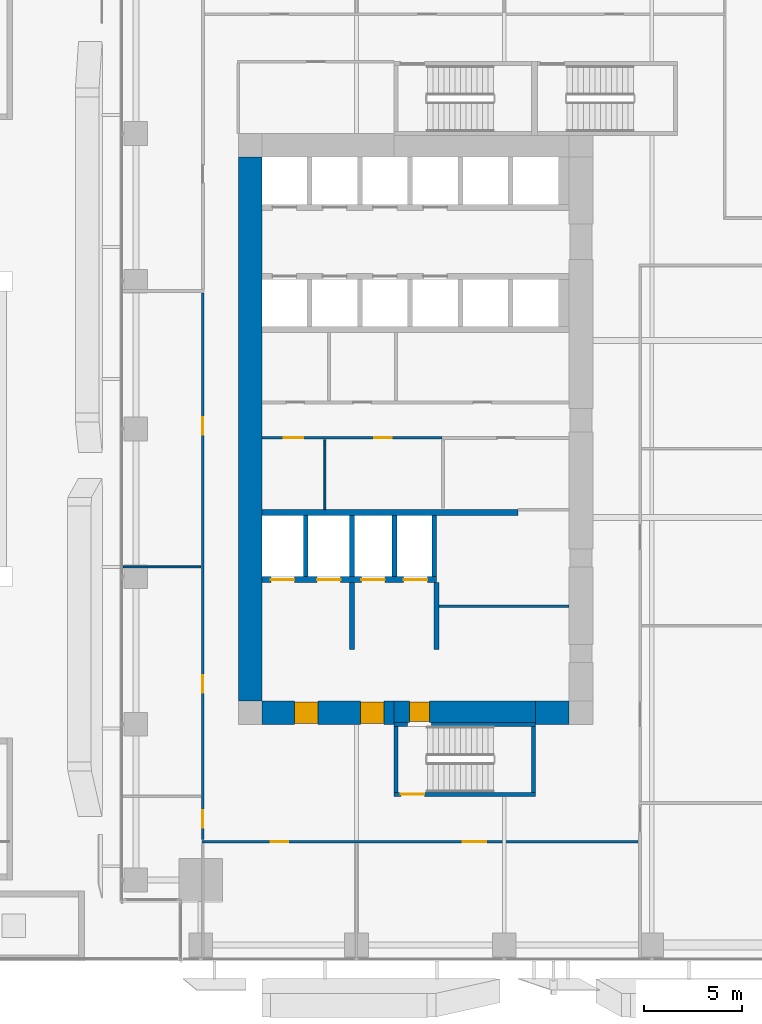
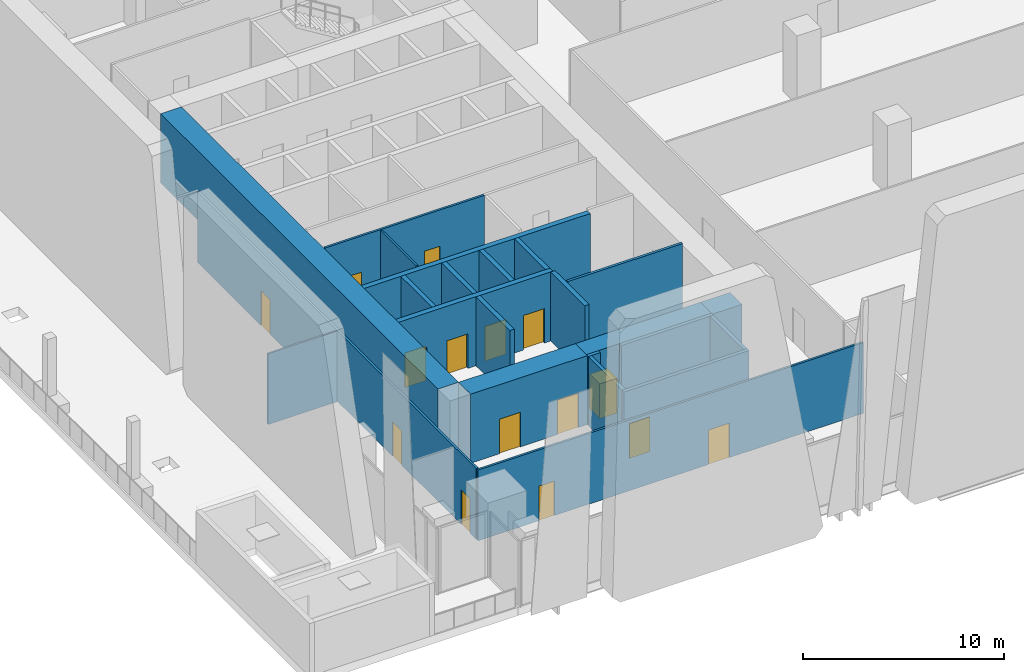
# One storey, part 35 of 46: 23 walls, 15 doors, 15 openings.
"""IFC4 building model written with IfcOpenShell, lengths in metres."""

from ifc_helpers import new_model, si_unit, direction, frame, frame_2d, origin, place, context, subcontext, project, spatial, rectangle, extrude, source, transform, mapped, material, layer, layer_set, type_object, element, fill, save


model = new_model("IFC4")

# Units and contexts
model_context = context("Model", 3, precision=1e-05, world=origin(), true_north=direction((0.0, 1.0)))
body_context = subcontext(model_context, "Body", "Model", "MODEL_VIEW")
ifc_project = project(units=[si_unit("LENGTHUNIT", "METRE"), si_unit("AREAUNIT", "SQUARE_METRE"), si_unit("VOLUMEUNIT", "CUBIC_METRE"), si_unit("PLANEANGLEUNIT", "RADIAN"), si_unit("MASSUNIT", "GRAM", prefix="KILO")], contexts=[model_context])

# Site, building, storey
site_placement = place(None, origin())
site = spatial("IfcSite", under=ifc_project, at=site_placement, CompositionType="ELEMENT")
building_placement = place(site_placement, origin())
building = spatial("IfcBuilding", under=site, at=building_placement, Name="Khomas Fold Tower", CompositionType="ELEMENT")
storey_placement = place(building_placement, frame((0.0, 0.0, 33.0)))
storey = spatial("IfcBuildingStorey", under=building, at=storey_placement, Name="L06", CompositionType="ELEMENT", Elevation=33.0)

# Wall, openings, doors
ifc_material_1 = material(Name="Concrete C70/85", Category="concrete")
ifc_layer_1 = layer(ifc_material_1, 1.199951171875)
ifc_layer_set_1 = layer_set([ifc_layer_1], Name="Concrete C70/85")
wall_type_1 = type_object("IfcWallType", Name="Core wall 1200", PredefinedType="SHEAR", material=ifc_layer_set_1)
shared_shape_1 = source(origin(), body_context, "Body", "SweptSolid", [
    extrude(rectangle(XDim=6.699951171875, YDim=1.199951171875, at=frame_2d((3.35009765625, 0.0))), origin(), (0.0, 0.0, 1.0), 4.199951171875),
])
wall_1_placement = place(storey_placement, frame((7.199951171875, 12.60009765625, 0.0), z_axis=(0.0, 0.0, 1.0), x_axis=(1.0, 0.0, 0.0)))
wall_1 = element("IfcWall", 1, at=wall_1_placement, inside=storey, type_object=wall_type_1, Name="Core wall CW-L-S-B2", PredefinedType="SHEAR", context=body_context, shape_type="MappedRepresentation", body=[
    mapped(shared_shape_1, transform((0.0, 0.0, 0.0))),
])
shared_shape_2 = source(origin(), body_context, "Body", "SweptSolid", [
    extrude(rectangle(XDim=1.199951171875, YDim=2.10009765625, at=frame_2d((0.60009765625, 1.050048828125))), frame((0.0, 0.60986328125, 0.0), z_axis=(0.0, -1.0, 0.0), x_axis=(1.0, 0.0, 0.0)), (0.0, 0.0, 1.0), 1.219970703125),
])
opening_1_placement = place(wall_1_placement, frame((5.0, 0.0, 0.0)))
opening_1 = element("IfcOpeningElement", 2, at=opening_1_placement, cuts=wall_1, Name="Opening 0009", PredefinedType="OPENING", context=body_context, shape_type="MappedRepresentation", body=[
    mapped(shared_shape_2, transform((0.0, 0.0, 0.0))),
])
opening_2_placement = place(wall_1_placement, frame((1.64990234375, 0.0, 0.0)))
opening_2 = element("IfcOpeningElement", 3, at=opening_2_placement, cuts=wall_1, Name="Opening 0009", PredefinedType="OPENING", context=body_context, shape_type="MappedRepresentation", body=[
    mapped(shared_shape_2, transform((0.0, 0.0, 0.0))),
])
ifc_material_2 = material(Name="Steel door leaf", Category="steel")
door_type_1 = type_object("IfcDoorType", Name="Lobby door 1200x2100 right-hand", OperationType="SINGLE_SWING_RIGHT", PredefinedType="DOOR", material=ifc_material_2)
shared_shape_3 = source(origin(), body_context, "Body", "SweptSolid", [
    extrude(rectangle(XDim=1.199951171875, YDim=2.10009765625, at=frame_2d((0.60009765625, 1.050048828125))), frame((0.0, 0.5498046875, 0.0), z_axis=(0.0, -1.0, 0.0), x_axis=(1.0, 0.0, 0.0)), (0.0, 0.0, 1.0), 1.099853515625),
])
door_1_placement = place(opening_1_placement, origin())
door_1 = element("IfcDoor", 4, at=door_1_placement, inside=storey, type_object=door_type_1, Name="Lobby door", OperationType="SINGLE_SWING_RIGHT", OverallHeight=2.10009765625, OverallWidth=1.199951171875, PredefinedType="DOOR", context=body_context, shape_type="MappedRepresentation", body=[
    mapped(shared_shape_3, transform((0.0, 0.0, 0.0))),
])
fill(opening_1, door_1)
door_2_placement = place(opening_2_placement, origin())
door_2 = element("IfcDoor", 5, at=door_2_placement, inside=storey, type_object=door_type_1, Name="Lobby door", OperationType="SINGLE_SWING_RIGHT", OverallHeight=2.10009765625, OverallWidth=1.199951171875, PredefinedType="DOOR", context=body_context, shape_type="MappedRepresentation", body=[
    mapped(shared_shape_3, transform((0.0, 0.0, 0.0))),
])
fill(opening_2, door_2)

# Wall, opening, door
ifc_material_3 = material(Name="Concrete C70/85", Category="concrete")
ifc_layer_2 = layer(ifc_material_3, 1.10009765625)
ifc_layer_set_2 = layer_set([ifc_layer_2], Name="Concrete C70/85")
wall_type_2 = type_object("IfcWallType", Name="Core wall 1100", PredefinedType="SHEAR", material=ifc_layer_set_2)
shared_shape_4 = source(origin(), body_context, "Body", "SweptSolid", [
    extrude(rectangle(XDim=7.2001953125, YDim=1.10009765625, at=frame_2d((3.60009765625, 0.0))), origin(), (0.0, 0.0, 1.0), 4.199951171875),
])
wall_2_placement = place(storey_placement, frame((13.89990234375, 12.64990234375, 0.0), z_axis=(0.0, 0.0, 1.0), x_axis=(1.0, 0.0, 0.0)))
wall_2 = element("IfcWall", 6, at=wall_2_placement, inside=storey, type_object=wall_type_2, Name="Core wall CW-L-S-B2-1", PredefinedType="SHEAR", context=body_context, shape_type="MappedRepresentation", body=[
    mapped(shared_shape_4, transform((0.0, 0.0, 0.0))),
])
shared_shape_5 = source(origin(), body_context, "Body", "SweptSolid", [
    extrude(rectangle(XDim=1.0, YDim=2.10009765625, at=frame_2d((0.5, 1.050048828125))), frame((0.0, 0.56005859375, 0.0), z_axis=(0.0, -1.0, 0.0), x_axis=(1.0, 0.0, 0.0)), (0.0, 0.0, 1.0), 1.1201171875),
])
opening_3_placement = place(wall_2_placement, frame((0.800048828125, 0.0, 0.0)))
opening_3 = element("IfcOpeningElement", 7, at=opening_3_placement, cuts=wall_2, Name="Opening 0010", PredefinedType="OPENING", context=body_context, shape_type="MappedRepresentation", body=[
    mapped(shared_shape_5, transform((0.0, 0.0, 0.0))),
])
ifc_material_4 = material(Name="Steel door leaf", Category="steel")
door_type_2 = type_object("IfcDoorType", Name="Stair door 1000x2100 right-hand", OperationType="SINGLE_SWING_RIGHT", PredefinedType="DOOR", material=ifc_material_4)
shared_shape_6 = source(origin(), body_context, "Body", "SweptSolid", [
    extrude(rectangle(XDim=1.0, YDim=2.10009765625, at=frame_2d((0.5, 1.050048828125))), frame((0.0, 0.5, 0.0), z_axis=(0.0, -1.0, 0.0), x_axis=(1.0, 0.0, 0.0)), (0.0, 0.0, 1.0), 1.0),
])
door_3_placement = place(opening_3_placement, origin())
door_3 = element("IfcDoor", 8, at=door_3_placement, inside=storey, type_object=door_type_2, Name="Stair door", OperationType="SINGLE_SWING_RIGHT", OverallHeight=2.10009765625, OverallWidth=1.0, PredefinedType="DOOR", context=body_context, shape_type="MappedRepresentation", body=[
    mapped(shared_shape_6, transform((0.0, 0.0, 0.0))),
])
fill(opening_3, door_3)

# Walls
shared_shape_7 = source(origin(), body_context, "Body", "SweptSolid", [
    extrude(rectangle(XDim=1.699951171875, YDim=1.199951171875, at=frame_2d((0.85009765625, 0.0))), origin(), (0.0, 0.0, 1.0), 4.199951171875),
])
wall_3_placement = place(storey_placement, frame((21.10009765625, 12.60009765625, 0.0), z_axis=(0.0, 0.0, 1.0), x_axis=(1.0, 0.0, 0.0)))
element("IfcWall", 9, at=wall_3_placement, inside=storey, type_object=wall_type_1, Name="Core wall CW-L-S-B2-2", PredefinedType="SHEAR", context=body_context, shape_type="MappedRepresentation", body=[
    mapped(shared_shape_7, transform((0.0, 0.0, 0.0))),
])
shared_shape_8 = source(origin(), body_context, "Body", "SweptSolid", [
    extrude(rectangle(XDim=27.60009765625, YDim=1.199951171875, at=frame_2d((13.800048828125, 0.0))), origin(), (0.0, 0.0, 1.0), 4.199951171875),
])
wall_4_placement = place(storey_placement, frame((6.60009765625, 13.199951171875, 0.0), z_axis=(0.0, 0.0, 1.0), x_axis=(0.0, 1.0, 0.0)))
element("IfcWall", 10, at=wall_4_placement, inside=storey, type_object=wall_type_1, Name="Core wall CW-L-W-B2", PredefinedType="SHEAR", context=body_context, shape_type="MappedRepresentation", body=[
    mapped(shared_shape_8, transform((0.0, 0.0, 0.0))),
])
ifc_material_5 = material(Name="Concrete C50/60", Category="concrete")
ifc_layer_3 = layer(ifc_material_5, 0.199951171875)
ifc_layer_set_3 = layer_set([ifc_layer_3], Name="Concrete C50/60")
wall_type_3 = type_object("IfcWallType", Name="Stair wall 200", PredefinedType="SHEAR", material=ifc_layer_set_3)
shared_shape_9 = source(origin(), body_context, "Body", "SweptSolid", [
    extrude(rectangle(XDim=0.7001953125, YDim=0.199951171875, at=frame_2d((0.35009765625, 0.0))), origin(), (0.0, 0.0, 1.0), 4.199951171875),
])
wall_5_placement = place(storey_placement, frame((13.89990234375, 12.0, 0.0), z_axis=(0.0, 0.0, 1.0), x_axis=(1.0, 0.0, 0.0)))
element("IfcWall", 11, at=wall_5_placement, inside=storey, type_object=wall_type_3, Name="Stair wall SW-ST2-N", PredefinedType="SHEAR", context=body_context, shape_type="MappedRepresentation", body=[
    mapped(shared_shape_9, transform((0.0, 0.0, 0.0))),
])
shared_shape_10 = source(origin(), body_context, "Body", "SweptSolid", [
    extrude(rectangle(XDim=5.300048828125, YDim=0.199951171875, at=frame_2d((2.64990234375, 0.0))), origin(), (0.0, 0.0, 1.0), 4.199951171875),
])
wall_6_placement = place(storey_placement, frame((15.800048828125, 12.0, 0.0), z_axis=(0.0, 0.0, 1.0), x_axis=(1.0, 0.0, 0.0)))
element("IfcWall", 12, at=wall_6_placement, inside=storey, type_object=wall_type_3, Name="Stair wall SW-ST2-NB", PredefinedType="SHEAR", context=body_context, shape_type="MappedRepresentation", body=[
    mapped(shared_shape_10, transform((0.0, 0.0, 0.0))),
])

# Wall, opening, door
shared_shape_11 = source(origin(), body_context, "Body", "SweptSolid", [
    extrude(rectangle(XDim=7.2001953125, YDim=0.199951171875, at=frame_2d((3.60009765625, 0.0))), origin(), (0.0, 0.0, 1.0), 4.199951171875),
])
wall_7_placement = place(storey_placement, frame((13.89990234375, 8.449951171875, 0.0), z_axis=(0.0, 0.0, 1.0), x_axis=(1.0, 0.0, 0.0)))
wall_7 = element("IfcWall", 13, at=wall_7_placement, inside=storey, type_object=wall_type_3, Name="Stair wall SW-ST2-S", PredefinedType="SHEAR", context=body_context, shape_type="MappedRepresentation", body=[
    mapped(shared_shape_11, transform((0.0, 0.0, 0.0))),
])
shared_shape_12 = source(origin(), body_context, "Body", "SweptSolid", [
    extrude(rectangle(XDim=1.199951171875, YDim=2.10009765625, at=frame_2d((0.60009765625, 1.050048828125))), frame((0.0, 0.10986328125, 0.0), z_axis=(0.0, -1.0, 0.0), x_axis=(1.0, 0.0, 0.0)), (0.0, 0.0, 1.0), 0.219970703125),
])
opening_4_placement = place(wall_7_placement, frame((0.35009765625, 0.0, 0.0)))
opening_4 = element("IfcOpeningElement", 14, at=opening_4_placement, cuts=wall_7, Name="Opening SD-ST2", PredefinedType="OPENING", context=body_context, shape_type="MappedRepresentation", body=[
    mapped(shared_shape_12, transform((0.0, 0.0, 0.0))),
])
ifc_material_6 = material(Name="Steel door leaf", Category="steel")
door_type_3 = type_object("IfcDoorType", Name="Stair door 1200x2100 right-hand", OperationType="SINGLE_SWING_RIGHT", PredefinedType="DOOR", material=ifc_material_6)
shared_shape_13 = source(origin(), body_context, "Body", "SweptSolid", [
    extrude(rectangle(XDim=1.199951171875, YDim=2.10009765625, at=frame_2d((0.60009765625, 1.050048828125))), frame((0.0, 0.02490234375, 0.0), z_axis=(0.0, -1.0, 0.0), x_axis=(1.0, 0.0, 0.0)), (0.0, 0.0, 1.0), 0.050048828125),
])
door_4_placement = place(opening_4_placement, origin())
door_4 = element("IfcDoor", 15, at=door_4_placement, inside=storey, type_object=door_type_3, Name="Stair door", OperationType="SINGLE_SWING_RIGHT", OverallHeight=2.10009765625, OverallWidth=1.199951171875, PredefinedType="DOOR", context=body_context, shape_type="MappedRepresentation", body=[
    mapped(shared_shape_13, transform((0.0, 0.0, 0.0))),
])
fill(opening_4, door_4)

# Walls
shared_shape_14 = source(origin(), body_context, "Body", "SweptSolid", [
    extrude(rectangle(XDim=3.349853515625, YDim=0.199951171875, at=frame_2d((1.6748046875, 0.0))), origin(), (0.0, 0.0, 1.0), 4.199951171875),
])
for number, where, z_axis, x_axis, name in (
    (16, (21.0, 8.550048828125, 0.0), (0.0, 0.0, 1.0), (0.0, 1.0, 0.0), "Stair wall SW-ST2-E"),
    (17, (14.0, 8.550048828125, 0.0), (0.0, 0.0, 1.0), (0.0, 1.0, 0.0), "Stair wall SW-ST2-W"),
):
    element("IfcWall", number, at=place(storey_placement, frame(where, z_axis=z_axis, x_axis=x_axis)), inside=storey, type_object=wall_type_3, Name=name, PredefinedType="SHEAR", context=body_context, shape_type="MappedRepresentation", body=[
        mapped(shared_shape_14, transform((0.0, 0.0, 0.0))),
    ])
ifc_material_7 = material(Name="Concrete C50/60", Category="concrete")
ifc_layer_4 = layer(ifc_material_7, 0.300048828125)
ifc_layer_set_4 = layer_set([ifc_layer_4], Name="Concrete C50/60")
wall_type_4 = type_object("IfcWallType", Name="Shaft wall 300", PredefinedType="STANDARD", material=ifc_layer_set_4)
shared_shape_15 = source(origin(), body_context, "Body", "SweptSolid", [
    extrude(rectangle(XDim=13.0, YDim=0.300048828125, at=frame_2d((6.5, 0.0))), origin(), (0.0, 0.0, 1.0), 4.199951171875),
])
wall_8_placement = place(storey_placement, frame((7.199951171875, 22.75, 0.0), z_axis=(0.0, 0.0, 1.0), x_axis=(1.0, 0.0, 0.0)))
element("IfcWall", 18, at=wall_8_placement, inside=storey, type_object=wall_type_4, Name="Core wall SW-FS-B", PredefinedType="STANDARD", context=body_context, shape_type="MappedRepresentation", body=[
    mapped(shared_shape_15, transform((0.0, 0.0, 0.0))),
])

# Wall, openings, doors
shared_shape_16 = source(origin(), body_context, "Body", "SweptSolid", [
    extrude(rectangle(XDim=8.875, YDim=0.300048828125, at=frame_2d((4.4375, 0.0))), origin(), (0.0, 0.0, 1.0), 4.199951171875),
])
wall_9_placement = place(storey_placement, frame((7.199951171875, 19.35009765625, 0.0), z_axis=(0.0, 0.0, 1.0), x_axis=(1.0, 0.0, 0.0)))
wall_9 = element("IfcWall", 19, at=wall_9_placement, inside=storey, type_object=wall_type_4, Name="Core wall SW-FS-F", PredefinedType="STANDARD", context=body_context, shape_type="MappedRepresentation", body=[
    mapped(shared_shape_16, transform((0.0, 0.0, 0.0))),
])
shared_shape_17 = source(origin(), body_context, "Body", "SweptSolid", [
    extrude(rectangle(XDim=1.199951171875, YDim=2.10009765625, at=frame_2d((0.60009765625, 1.050048828125))), frame((0.0, 0.159912109375, 0.0), z_axis=(0.0, -1.0, 0.0), x_axis=(1.0, 0.0, 0.0)), (0.0, 0.0, 1.0), 0.320068359375),
])
opening_5_placement = place(wall_9_placement, frame((0.449951171875, 0.0, 0.0)))
opening_5 = element("IfcOpeningElement", 20, at=opening_5_placement, cuts=wall_9, Name="Opening LD-SV1", PredefinedType="OPENING", context=body_context, shape_type="MappedRepresentation", body=[
    mapped(shared_shape_17, transform((0.0, 0.0, 0.0))),
])
opening_6_placement = place(wall_9_placement, frame((2.800048828125, 0.0, 0.0)))
opening_6 = element("IfcOpeningElement", 21, at=opening_6_placement, cuts=wall_9, Name="Opening LD-SV2", PredefinedType="OPENING", context=body_context, shape_type="MappedRepresentation", body=[
    mapped(shared_shape_17, transform((0.0, 0.0, 0.0))),
])
opening_7_placement = place(wall_9_placement, frame((5.050048828125, 0.0, 0.0)))
opening_7 = element("IfcOpeningElement", 22, at=opening_7_placement, cuts=wall_9, Name="Opening LD-FF1", PredefinedType="OPENING", context=body_context, shape_type="MappedRepresentation", body=[
    mapped(shared_shape_17, transform((0.0, 0.0, 0.0))),
])
opening_8_placement = place(wall_9_placement, frame((7.199951171875, 0.0, 0.0)))
opening_8 = element("IfcOpeningElement", 23, at=opening_8_placement, cuts=wall_9, Name="Opening LD-FF2", PredefinedType="OPENING", context=body_context, shape_type="MappedRepresentation", body=[
    mapped(shared_shape_17, transform((0.0, 0.0, 0.0))),
])
ifc_material_8 = material(Name="Steel door leaf", Category="steel")
door_type_4 = type_object("IfcDoorType", Name="Landing door 1200x2100", OperationType="DOUBLE_DOOR_SLIDING", PredefinedType="DOOR", material=ifc_material_8)
door_5_placement = place(opening_5_placement, origin())
door_5 = element("IfcDoor", 24, at=door_5_placement, inside=storey, type_object=door_type_4, Name="Lift landing door", OperationType="DOUBLE_DOOR_SLIDING", OverallHeight=2.10009765625, OverallWidth=1.199951171875, PredefinedType="DOOR", context=body_context, shape_type="MappedRepresentation", body=[
    mapped(shared_shape_13, transform((0.0, 0.0, 0.0))),
])
fill(opening_5, door_5)
door_6_placement = place(opening_6_placement, origin())
door_6 = element("IfcDoor", 25, at=door_6_placement, inside=storey, type_object=door_type_4, Name="Lift landing door", OperationType="DOUBLE_DOOR_SLIDING", OverallHeight=2.10009765625, OverallWidth=1.199951171875, PredefinedType="DOOR", context=body_context, shape_type="MappedRepresentation", body=[
    mapped(shared_shape_13, transform((0.0, 0.0, 0.0))),
])
fill(opening_6, door_6)
door_7_placement = place(opening_7_placement, origin())
door_7 = element("IfcDoor", 26, at=door_7_placement, inside=storey, type_object=door_type_4, Name="Lift landing door", OperationType="DOUBLE_DOOR_SLIDING", OverallHeight=2.10009765625, OverallWidth=1.199951171875, PredefinedType="DOOR", context=body_context, shape_type="MappedRepresentation", body=[
    mapped(shared_shape_13, transform((0.0, 0.0, 0.0))),
])
fill(opening_7, door_7)
door_8_placement = place(opening_8_placement, origin())
door_8 = element("IfcDoor", 27, at=door_8_placement, inside=storey, type_object=door_type_4, Name="Lift landing door", OperationType="DOUBLE_DOOR_SLIDING", OverallHeight=2.10009765625, OverallWidth=1.199951171875, PredefinedType="DOOR", context=body_context, shape_type="MappedRepresentation", body=[
    mapped(shared_shape_13, transform((0.0, 0.0, 0.0))),
])
fill(opening_8, door_8)

# Walls
ifc_material_9 = material(Name="Concrete C50/60", Category="concrete")
ifc_layer_5 = layer(ifc_material_9, 0.25)
ifc_layer_set_5 = layer_set([ifc_layer_5], Name="Concrete C50/60")
wall_type_5 = type_object("IfcWallType", Name="Shaft wall 250", PredefinedType="STANDARD", material=ifc_layer_set_5)
shared_shape_18 = source(origin(), body_context, "Body", "SweptSolid", [
    extrude(rectangle(XDim=3.10009765625, YDim=0.25, at=frame_2d((1.550048828125, 0.0))), origin(), (0.0, 0.0, 1.0), 4.199951171875),
])
for number, where, z_axis, x_axis, name in (
    (28, (9.425048828125, 19.5, 0.0), (0.0, 0.0, 1.0), (0.0, 1.0, 0.0), "Core wall SW-FS-P1"),
    (29, (11.77490234375, 19.5, 0.0), (0.0, 0.0, 1.0), (0.0, 1.0, 0.0), "Core wall SW-FS-P2"),
    (30, (13.925048828125, 19.5, 0.0), (0.0, 0.0, 1.0), (0.0, 1.0, 0.0), "Core wall SW-FS-P3"),
    (31, (15.949951171875, 19.5, 0.0), (0.0, 0.0, 1.0), (0.0, 1.0, 0.0), "Core wall SW-FS-PE"),
):
    element("IfcWall", number, at=place(storey_placement, frame(where, z_axis=z_axis, x_axis=x_axis)), inside=storey, type_object=wall_type_5, Name=name, PredefinedType="STANDARD", context=body_context, shape_type="MappedRepresentation", body=[
        mapped(shared_shape_18, transform((0.0, 0.0, 0.0))),
    ])
ifc_material_10 = material(Name="Concrete C50/60", Category="concrete")
ifc_layer_6 = layer(ifc_material_10, 0.25)
ifc_layer_set_6 = layer_set([ifc_layer_6], Name="Concrete C50/60")
wall_type_6 = type_object("IfcWallType", Name="Lobby wall 250", PredefinedType="STANDARD", material=ifc_layer_set_6)
shared_shape_19 = source(origin(), body_context, "Body", "SweptSolid", [
    extrude(rectangle(XDim=3.39990234375, YDim=0.25, at=frame_2d((1.699951171875, 0.0))), origin(), (0.0, 0.0, 1.0), 4.199951171875),
])
for number, where, z_axis, x_axis, name in (
    (32, (16.074951171875, 15.800048828125, 0.0), (0.0, 0.0, 1.0), (0.0, 1.0, 0.0), "Core wall SW-FS-LOB-E"),
    (33, (11.77490234375, 15.800048828125, 0.0), (0.0, 0.0, 1.0), (0.0, 1.0, 0.0), "Core wall SW-FS-SEP"),
):
    element("IfcWall", number, at=place(storey_placement, frame(where, z_axis=z_axis, x_axis=x_axis)), inside=storey, type_object=wall_type_6, Name=name, PredefinedType="STANDARD", context=body_context, shape_type="MappedRepresentation", body=[
        mapped(shared_shape_19, transform((0.0, 0.0, 0.0))),
    ])

# Wall, openings, doors
ifc_material_11 = material(Name="Plasterboard partition")
ifc_layer_7 = layer(ifc_material_11, 0.125)
ifc_layer_set_7 = layer_set([ifc_layer_7], Name="Plasterboard partition")
wall_type_7 = type_object("IfcWallType", Name="Partition PW2 125", PredefinedType="PARTITIONING", material=ifc_layer_set_7)
shared_shape_20 = source(origin(), body_context, "Body", "SweptSolid", [
    extrude(rectangle(XDim=22.150146484375, YDim=0.125, at=frame_2d((11.0751953125, 0.0))), origin(), (0.0, 0.0, 1.0), 4.300048828125),
])
wall_10_placement = place(storey_placement, frame((4.14990234375, 6.050048828125, 0.0), z_axis=(0.0, 0.0, 1.0), x_axis=(1.0, 0.0, 0.0)))
wall_10 = element("IfcWall", 34, at=wall_10_placement, inside=storey, type_object=wall_type_7, Name="Partition", PredefinedType="PARTITIONING", context=body_context, shape_type="MappedRepresentation", body=[
    mapped(shared_shape_20, transform((0.0, 0.0, 0.0))),
])
shared_shape_21 = source(origin(), body_context, "Body", "SweptSolid", [
    extrude(rectangle(XDim=0.89990234375, YDim=2.10009765625, at=frame_2d((0.449951171875, 1.050048828125))), frame((0.0, 0.072509765625, 0.0), z_axis=(0.0, -1.0, 0.0), x_axis=(1.0, 0.0, 0.0)), (0.0, 0.0, 1.0), 0.14501953125),
])
opening_9_placement = place(wall_10_placement, frame((3.5, 0.0, 0.0)))
opening_9 = element("IfcOpeningElement", 35, at=opening_9_placement, cuts=wall_10, Name="Opening 0007", PredefinedType="OPENING", context=body_context, shape_type="MappedRepresentation", body=[
    mapped(shared_shape_21, transform((0.0, 0.0, 0.0))),
])
shared_shape_22 = source(origin(), body_context, "Body", "SweptSolid", [
    extrude(rectangle(XDim=1.199951171875, YDim=2.10009765625, at=frame_2d((0.60009765625, 1.050048828125))), frame((0.0, 0.072509765625, 0.0), z_axis=(0.0, -1.0, 0.0), x_axis=(1.0, 0.0, 0.0)), (0.0, 0.0, 1.0), 0.14501953125),
])
opening_10_placement = place(wall_10_placement, frame((13.25, 0.0, 0.0)))
opening_10 = element("IfcOpeningElement", 36, at=opening_10_placement, cuts=wall_10, Name="Opening 0001", PredefinedType="OPENING", context=body_context, shape_type="MappedRepresentation", body=[
    mapped(shared_shape_22, transform((0.0, 0.0, 0.0))),
])
ifc_material_12 = material(Name="Timber door leaf", Category="wood")
door_type_5 = type_object("IfcDoorType", Name="Door 900x2100 left-hand", OperationType="SINGLE_SWING_LEFT", PredefinedType="DOOR", material=ifc_material_12)
shared_shape_23 = source(origin(), body_context, "Body", "SweptSolid", [
    extrude(rectangle(XDim=0.89990234375, YDim=2.10009765625, at=frame_2d((0.449951171875, 1.050048828125))), frame((0.0, 0.02490234375, 0.0), z_axis=(0.0, -1.0, 0.0), x_axis=(1.0, 0.0, 0.0)), (0.0, 0.0, 1.0), 0.050048828125),
])
door_9_placement = place(opening_9_placement, origin())
door_9 = element("IfcDoor", 37, at=door_9_placement, inside=storey, type_object=door_type_5, Name="Door", OperationType="SINGLE_SWING_LEFT", OverallHeight=2.10009765625, OverallWidth=0.89990234375, PredefinedType="DOOR", context=body_context, shape_type="MappedRepresentation", body=[
    mapped(shared_shape_23, transform((0.0, 0.0, 0.0))),
])
fill(opening_9, door_9)
ifc_material_13 = material(Name="Timber door leaf", Category="wood")
door_type_6 = type_object("IfcDoorType", Name="Door 1200x2100 right-hand", OperationType="SINGLE_SWING_RIGHT", PredefinedType="DOOR", material=ifc_material_13)
door_10_placement = place(opening_10_placement, origin())
door_10 = element("IfcDoor", 38, at=door_10_placement, inside=storey, type_object=door_type_6, Name="Door", OperationType="SINGLE_SWING_RIGHT", OverallHeight=2.10009765625, OverallWidth=1.199951171875, PredefinedType="DOOR", context=body_context, shape_type="MappedRepresentation", body=[
    mapped(shared_shape_13, transform((0.0, 0.0, 0.0))),
])
fill(opening_10, door_10)

shared_shape_24 = source(origin(), body_context, "Body", "SweptSolid", [
    extrude(rectangle(XDim=27.75, YDim=0.125, at=frame_2d((13.875, 0.0))), origin(), (0.0, 0.0, 1.0), 4.300048828125),
])
wall_11_placement = place(storey_placement, frame((4.199951171875, 6.14990234375, 0.0), z_axis=(0.0, 0.0, 1.0), x_axis=(0.0, 1.0, 0.0)))
wall_11 = element("IfcWall", 39, at=wall_11_placement, inside=storey, type_object=wall_type_7, Name="Partition", PredefinedType="PARTITIONING", context=body_context, shape_type="MappedRepresentation", body=[
    mapped(shared_shape_24, transform((0.0, 0.0, 0.0))),
])
opening_11_placement = place(wall_11_placement, frame((0.60009765625, 0.0, 0.0)))
opening_11 = element("IfcOpeningElement", 40, at=opening_11_placement, cuts=wall_11, Name="Opening 0008", PredefinedType="OPENING", context=body_context, shape_type="MappedRepresentation", body=[
    mapped(shared_shape_21, transform((0.0, 0.0, 0.0))),
])
opening_12_placement = place(wall_11_placement, frame((7.449951171875, 0.0, 0.0)))
opening_12 = element("IfcOpeningElement", 41, at=opening_12_placement, cuts=wall_11, Name="Opening 0008", PredefinedType="OPENING", context=body_context, shape_type="MappedRepresentation", body=[
    mapped(shared_shape_21, transform((0.0, 0.0, 0.0))),
])
opening_13_placement = place(wall_11_placement, frame((20.550048828125, 0.0, 0.0)))
opening_13 = element("IfcOpeningElement", 42, at=opening_13_placement, cuts=wall_11, Name="Opening 0007", PredefinedType="OPENING", context=body_context, shape_type="MappedRepresentation", body=[
    mapped(shared_shape_21, transform((0.0, 0.0, 0.0))),
])
ifc_material_14 = material(Name="Timber door leaf", Category="wood")
door_type_7 = type_object("IfcDoorType", Name="Door 900x2100 right-hand", OperationType="SINGLE_SWING_RIGHT", PredefinedType="DOOR", material=ifc_material_14)
door_11_placement = place(opening_11_placement, origin())
door_11 = element("IfcDoor", 43, at=door_11_placement, inside=storey, type_object=door_type_7, Name="Door", OperationType="SINGLE_SWING_RIGHT", OverallHeight=2.10009765625, OverallWidth=0.89990234375, PredefinedType="DOOR", context=body_context, shape_type="MappedRepresentation", body=[
    mapped(shared_shape_23, transform((0.0, 0.0, 0.0))),
])
fill(opening_11, door_11)
door_12_placement = place(opening_12_placement, origin())
door_12 = element("IfcDoor", 44, at=door_12_placement, inside=storey, type_object=door_type_7, Name="Door", OperationType="SINGLE_SWING_RIGHT", OverallHeight=2.10009765625, OverallWidth=0.89990234375, PredefinedType="DOOR", context=body_context, shape_type="MappedRepresentation", body=[
    mapped(shared_shape_23, transform((0.0, 0.0, 0.0))),
])
fill(opening_12, door_12)
door_13_placement = place(opening_13_placement, origin())
door_13 = element("IfcDoor", 45, at=door_13_placement, inside=storey, type_object=door_type_5, Name="Door", OperationType="SINGLE_SWING_LEFT", OverallHeight=2.10009765625, OverallWidth=0.89990234375, PredefinedType="DOOR", context=body_context, shape_type="MappedRepresentation", body=[
    mapped(shared_shape_23, transform((0.0, 0.0, 0.0))),
])
fill(opening_13, door_13)

# Walls
ifc_material_15 = material(Name="Plasterboard partition")
ifc_layer_8 = layer(ifc_material_15, 0.10009765625)
ifc_layer_set_8 = layer_set([ifc_layer_8], Name="Plasterboard partition")
wall_type_8 = type_object("IfcWallType", Name="Partition PW1 100", PredefinedType="PARTITIONING", material=ifc_layer_set_8)
shared_shape_25 = source(origin(), body_context, "Body", "SweptSolid", [
    extrude(rectangle(XDim=3.9501953125, YDim=0.10009765625, at=frame_2d((1.97509765625, 0.0))), origin(), (0.0, 0.0, 1.0), 4.300048828125),
])
wall_12_placement = place(storey_placement, frame((0.14990234375, 20.0, 0.0), z_axis=(0.0, 0.0, 1.0), x_axis=(1.0, 0.0, 0.0)))
element("IfcWall", 46, at=wall_12_placement, inside=storey, type_object=wall_type_8, Name="Partition", PredefinedType="PARTITIONING", context=body_context, shape_type="MappedRepresentation", body=[
    mapped(shared_shape_25, transform((0.0, 0.0, 0.0))),
])
ifc_material_16 = material(Name="Plasterboard fire partition")
ifc_layer_9 = layer(ifc_material_16, 0.14990234375)
ifc_layer_set_9 = layer_set([ifc_layer_9], Name="Plasterboard fire partition")
wall_type_9 = type_object("IfcWallType", Name="Plant room wall PW3 150", PredefinedType="PARTITIONING", material=ifc_layer_set_9)
shared_shape_26 = source(origin(), body_context, "Body", "SweptSolid", [
    extrude(rectangle(XDim=6.60009765625, YDim=0.14990234375, at=frame_2d((3.300048828125, 0.0))), origin(), (0.0, 0.0, 1.0), 4.300048828125),
])
wall_13_placement = place(storey_placement, frame((16.199951171875, 18.0, 0.0), z_axis=(0.0, 0.0, 1.0), x_axis=(1.0, 0.0, 0.0)))
element("IfcWall", 47, at=wall_13_placement, inside=storey, type_object=wall_type_9, Name="Plant room wall", PredefinedType="PARTITIONING", context=body_context, shape_type="MappedRepresentation", body=[
    mapped(shared_shape_26, transform((0.0, 0.0, 0.0))),
])
shared_shape_27 = source(origin(), body_context, "Body", "SweptSolid", [
    extrude(rectangle(XDim=3.550048828125, YDim=0.10009765625, at=frame_2d((1.77490234375, 0.0))), origin(), (0.0, 0.0, 1.0), 4.300048828125),
])
wall_14_placement = place(storey_placement, frame((10.39990234375, 22.89990234375, 0.0), z_axis=(0.0, 0.0, 1.0), x_axis=(0.0, 1.0, 0.0)))
element("IfcWall", 48, at=wall_14_placement, inside=storey, type_object=wall_type_8, Name="Partition", PredefinedType="PARTITIONING", context=body_context, shape_type="MappedRepresentation", body=[
    mapped(shared_shape_27, transform((0.0, 0.0, 0.0))),
])

# Wall, openings, doors
shared_shape_28 = source(origin(), body_context, "Body", "SweptSolid", [
    extrude(rectangle(XDim=9.150146484375, YDim=0.125, at=frame_2d((4.5751953125, 0.0))), origin(), (0.0, 0.0, 1.0), 4.300048828125),
])
wall_15_placement = place(storey_placement, frame((7.199951171875, 26.550048828125, 0.0), z_axis=(0.0, 0.0, 1.0), x_axis=(1.0, 0.0, 0.0)))
wall_15 = element("IfcWall", 49, at=wall_15_placement, inside=storey, type_object=wall_type_7, Name="Partition", PredefinedType="PARTITIONING", context=body_context, shape_type="MappedRepresentation", body=[
    mapped(shared_shape_28, transform((0.0, 0.0, 0.0))),
])
shared_shape_29 = source(origin(), body_context, "Body", "SweptSolid", [
    extrude(rectangle(XDim=1.0, YDim=2.10009765625, at=frame_2d((0.5, 1.050048828125))), frame((0.0, 0.072509765625, 0.0), z_axis=(0.0, -1.0, 0.0), x_axis=(1.0, 0.0, 0.0)), (0.0, 0.0, 1.0), 0.14501953125),
])
opening_14_placement = place(wall_15_placement, frame((1.10009765625, 0.0, 0.0)))
opening_14 = element("IfcOpeningElement", 50, at=opening_14_placement, cuts=wall_15, Name="Opening 0014", PredefinedType="OPENING", context=body_context, shape_type="MappedRepresentation", body=[
    mapped(shared_shape_29, transform((0.0, 0.0, 0.0))),
])
opening_15_placement = place(wall_15_placement, frame((5.699951171875, 0.0, 0.0)))
opening_15 = element("IfcOpeningElement", 51, at=opening_15_placement, cuts=wall_15, Name="Opening 0007", PredefinedType="OPENING", context=body_context, shape_type="MappedRepresentation", body=[
    mapped(shared_shape_21, transform((0.0, 0.0, 0.0))),
])
door_14_placement = place(opening_15_placement, origin())
door_14 = element("IfcDoor", 52, at=door_14_placement, inside=storey, type_object=door_type_5, Name="Door", OperationType="SINGLE_SWING_LEFT", OverallHeight=2.10009765625, OverallWidth=0.89990234375, PredefinedType="DOOR", context=body_context, shape_type="MappedRepresentation", body=[
    mapped(shared_shape_23, transform((0.0, 0.0, 0.0))),
])
fill(opening_15, door_14)
ifc_material_17 = material(Name="Timber door leaf", Category="wood")
door_type_8 = type_object("IfcDoorType", Name="WC door 1000x2100 left-hand", OperationType="SINGLE_SWING_LEFT", PredefinedType="DOOR", material=ifc_material_17)
shared_shape_30 = source(origin(), body_context, "Body", "SweptSolid", [
    extrude(rectangle(XDim=1.0, YDim=2.10009765625, at=frame_2d((0.5, 1.050048828125))), frame((0.0, 0.02490234375, 0.0), z_axis=(0.0, -1.0, 0.0), x_axis=(1.0, 0.0, 0.0)), (0.0, 0.0, 1.0), 0.050048828125),
])
door_15_placement = place(opening_14_placement, origin())
door_15 = element("IfcDoor", 53, at=door_15_placement, inside=storey, type_object=door_type_8, Name="WC door", OperationType="SINGLE_SWING_LEFT", OverallHeight=2.10009765625, OverallWidth=1.0, PredefinedType="DOOR", context=body_context, shape_type="MappedRepresentation", body=[
    mapped(shared_shape_30, transform((0.0, 0.0, 0.0))),
])
fill(opening_14, door_15)

save(model, "model.ifc")
